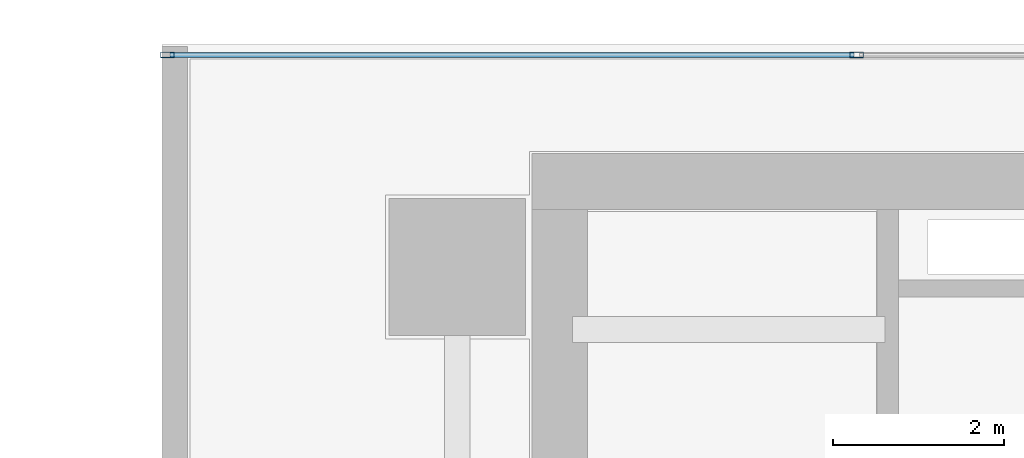
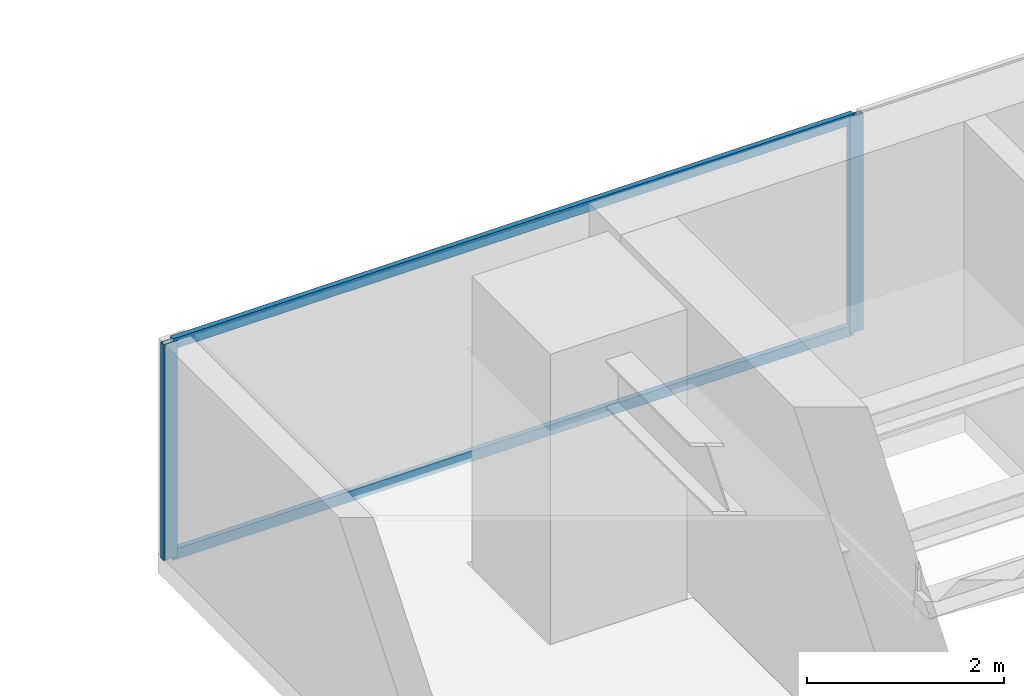
# One storey, part 20 of 36: 4 members, 1 element without a shape of its own.
"""IFC4 building model written with IfcOpenShell, lengths in metres."""

from ifc_helpers import new_model, si_unit, direction, frame, origin, origin_2d, place, context, subcontext, project, spatial, hollow_rectangle, extrude, source, transform, mapped, material, layer, layer_set, material_profile, profile_set, type_object, element, aggregate, save


model = new_model("IFC4")

# Units and contexts
model_context = context("Model", 3, precision=1e-05, world=origin(), true_north=direction((0.0, 1.0)))
body_context = subcontext(model_context, "Body", "Model", "MODEL_VIEW")
ifc_project = project(units=[si_unit("LENGTHUNIT", "METRE"), si_unit("AREAUNIT", "SQUARE_METRE"), si_unit("VOLUMEUNIT", "CUBIC_METRE"), si_unit("PLANEANGLEUNIT", "RADIAN"), si_unit("MASSUNIT", "GRAM", prefix="KILO")], contexts=[model_context])

# Site, building, storey
site_placement = place(None, origin())
site = spatial("IfcSite", under=ifc_project, at=site_placement, CompositionType="ELEMENT")
building_placement = place(site_placement, origin())
building = spatial("IfcBuilding", under=site, at=building_placement, Name="Sumidabori Civic Tower", CompositionType="ELEMENT")
storey_placement = place(building_placement, frame((0.0, 0.0, 120.800048828125)))
storey = spatial("IfcBuildingStorey", under=building, at=storey_placement, Name="L31", CompositionType="ELEMENT", Elevation=120.800048828125)

# Curtain wall, members
ifc_material = material(Name="Anodised Bronze Aluminium AW-6063-T6", Category="aluminium")
ifc_layer = layer(ifc_material, 0.179931640625, Name="Anodised Bronze Aluminium AW-6063-T6")
ifc_layer_set = layer_set([ifc_layer], Name="Anodised Bronze Aluminium AW-6063-T6")
curtain_wall_type = type_object("IfcCurtainWallType", Name="CW-SYS-3", PredefinedType="NOTDEFINED", material=ifc_layer_set)
curtain_wall_placement = place(storey_placement, origin())
curtain_wall = element("IfcCurtainWall", 1, at=curtain_wall_placement, inside=storey, type_object=curtain_wall_type, Name="Curtain Wall CW:L31:R07", PredefinedType="NOTDEFINED")
ifc_material_profile_1 = material_profile(ifc_material, hollow_rectangle(XDim=0.06005859375, YDim=0.1298828125, WallThickness=0.0048828125, at=origin_2d()), Name="ALU TRANSOM 130x60")
ifc_profile_set_1 = profile_set([ifc_material_profile_1], Name="Anodised Bronze Aluminium AW-6063-T6")
member_type_1 = type_object("IfcMemberType", Name="CW-TRN-130", PredefinedType="USERDEFINED", material=ifc_profile_set_1)
shared_shape_1 = source(origin(), body_context, "Body", "SweptSolid", [
    extrude(hollow_rectangle(XDim=0.06005859375, YDim=0.1298828125, WallThickness=0.0048828125, at=origin_2d()), origin(), (0.0, 0.0, 1.0), 7.990478515625),
])
member_1_placement = place(storey_placement, frame((-12.16455078125, 25.280029296875, 0.030029296875), z_axis=(-1.0, 0.0, 0.0), x_axis=(0.0, -1.0, 0.0)))
member_1 = element("IfcMember", 2, at=member_1_placement, type_object=member_type_1, Name="CW-3 transom 5.1", ObjectType="TRANSOM", PredefinedType="USERDEFINED", context=body_context, shape_type="MappedRepresentation", body=[
    mapped(shared_shape_1, transform((0.0, 0.0, 0.0), x_axis=(1.0, 0.0, 0.0), y_axis=(0.0, 1.0, 0.0), z_axis=(0.0, 0.0, 1.0), scale=1.0)),
])
member_2_placement = place(storey_placement, frame((-12.16455078125, 25.280029296875, 2.64990234375), z_axis=(-1.0, 0.0, 0.0), x_axis=(0.0, -1.0, 0.0)))
member_2 = element("IfcMember", 3, at=member_2_placement, type_object=member_type_1, Name="CW-3 transom 5.2", ObjectType="TRANSOM", PredefinedType="USERDEFINED", context=body_context, shape_type="MappedRepresentation", body=[
    mapped(shared_shape_1, transform((0.0, 0.0, 0.0), x_axis=(1.0, 0.0, 0.0), y_axis=(0.0, 1.0, 0.0), z_axis=(0.0, 0.0, 1.0), scale=1.0)),
])
ifc_material_profile_2 = material_profile(ifc_material, hollow_rectangle(XDim=0.06494140625, YDim=0.159912109375, WallThickness=0.0048828125, at=origin_2d()), Name="ALU MULLION 160x65")
ifc_profile_set_2 = profile_set([ifc_material_profile_2], Name="Anodised Bronze Aluminium AW-6063-T6")
member_type_2 = type_object("IfcMemberType", Name="CW-MUL-160", PredefinedType="MULLION", material=ifc_profile_set_2)
shared_shape_2 = source(origin(), body_context, "Body", "SweptSolid", [
    extrude(hollow_rectangle(XDim=0.06494140625, YDim=0.159912109375, WallThickness=0.0048828125, at=origin_2d()), origin(), (0.0, 0.0, 1.0), 2.679931640625),
])
member_3_placement = place(storey_placement, frame((-12.132080078125, 25.280029296875, 0.0), z_axis=(0.0, 0.0, 1.0), x_axis=(0.0, -1.0, 0.0)))
member_3 = element("IfcMember", 4, at=member_3_placement, type_object=member_type_2, Name="CW-3 mullion 5", PredefinedType="MULLION", context=body_context, shape_type="MappedRepresentation", body=[
    mapped(shared_shape_2, transform((0.0, 0.0, 0.0), x_axis=(1.0, 0.0, 0.0), y_axis=(0.0, 1.0, 0.0), z_axis=(0.0, 0.0, 1.0), scale=1.0)),
])
member_4_placement = place(storey_placement, frame((-20.1875, 25.280029296875, 0.0), z_axis=(0.0, 0.0, 1.0), x_axis=(0.0, -1.0, 0.0)))
member_4 = element("IfcMember", 5, at=member_4_placement, type_object=member_type_2, Name="CW-3 mullion 6", PredefinedType="MULLION", context=body_context, shape_type="MappedRepresentation", body=[
    mapped(shared_shape_2, transform((0.0, 0.0, 0.0), x_axis=(1.0, 0.0, 0.0), y_axis=(0.0, 1.0, 0.0), z_axis=(0.0, 0.0, 1.0), scale=1.0)),
])
aggregate(curtain_wall, [member_3, member_4, member_1, member_2])

save(model, "model.ifc")
